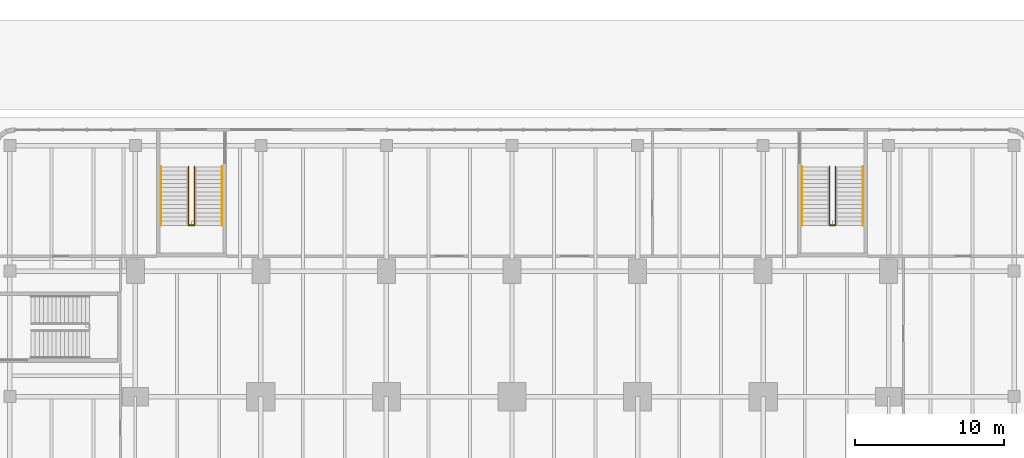
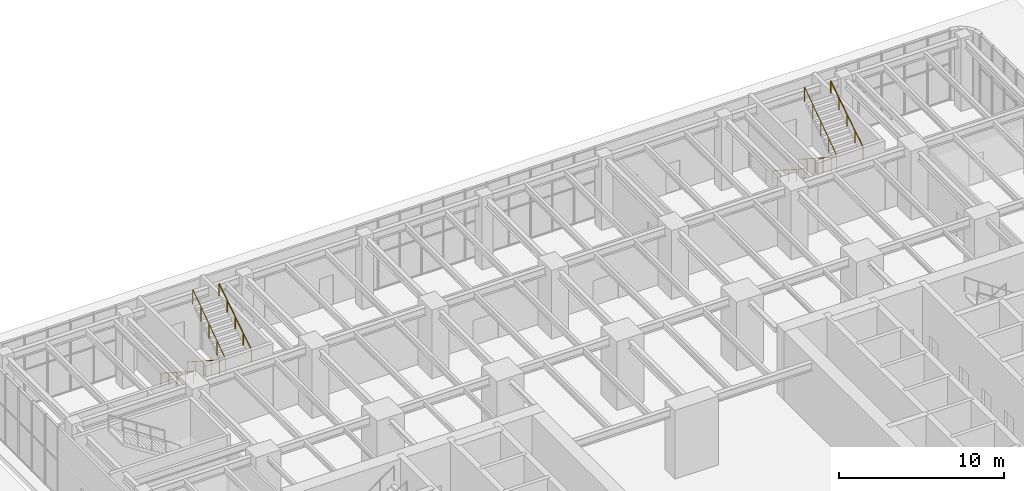
# One storey, part 30 of 31: 6 railings.
"""IFC4 building model written with IfcOpenShell, lengths in metres."""

from ifc_helpers import new_model, si_unit, direction, frame, origin, origin_2d, place, context, subcontext, project, spatial, circle, extrude, material, type_object, element, save


model = new_model("IFC4")

# Units and contexts
model_context = context("Model", 3, precision=1e-05, world=origin(), true_north=direction((0.0, 1.0)))
body_context = subcontext(model_context, "Body", "Model", "MODEL_VIEW")
ifc_project = project(units=[si_unit("LENGTHUNIT", "METRE"), si_unit("AREAUNIT", "SQUARE_METRE"), si_unit("VOLUMEUNIT", "CUBIC_METRE"), si_unit("PLANEANGLEUNIT", "RADIAN"), si_unit("MASSUNIT", "GRAM", prefix="KILO")], contexts=[model_context])

# Site, building, storey
site_placement = place(None, origin())
site = spatial("IfcSite", under=ifc_project, at=site_placement, CompositionType="ELEMENT")
building_placement = place(site_placement, origin())
building = spatial("IfcBuilding", under=site, at=building_placement, Name="Claustro Exchange Tower", CompositionType="ELEMENT")
storey_placement = place(building_placement, origin())
storey = spatial("IfcBuildingStorey", under=building, at=storey_placement, Name="L00", CompositionType="ELEMENT", Elevation=0.0)

# Railings
ifc_material_1 = material(Name="Steel balustrade, painted", Category="steel")
railing_type_1 = type_object("IfcRailingType", Name="GR2 1100 steel stair guard", PredefinedType="GUARDRAIL", material=ifc_material_1)
railing_1_placement = place(storey_placement, frame((3.550048828125, 57.3798828125, 0.179931640625)))
element("IfcRailing", 1, at=railing_1_placement, inside=storey, type_object=railing_type_1, Name="Stair well guard GR2 stair STP3 L00", PredefinedType="GUARDRAIL", context=body_context, shape_type="SweptSolid", body=[
    extrude(circle(Radius=0.02392578125, at=origin_2d()), frame((0.0, 0.0, 1.076171875), z_axis=(0.0, -0.841171666519, 0.540768182723), x_axis=(1.0, 0.0, 0.0)), (0.0, 0.0, 1.0), 4.66015625),
    extrude(circle(Radius=0.02392578125, at=origin_2d()), frame((0.0, -3.919921875, 3.59619140625), z_axis=(1.0, 0.0, 0.0), x_axis=(0.0, 1.0, 0.0)), (0.0, 0.0, 1.0), 0.39990234375),
    extrude(circle(Radius=0.02392578125, at=origin_2d()), frame((0.39990234375, -3.919921875, 3.59619140625), z_axis=(0.0, 0.823550731654, 0.567242622158), x_axis=(-1.0, 0.0, 0.0)), (0.0, 0.0, 1.0), 4.759765625),
    extrude(circle(Radius=0.02099609375, at=origin_2d()), origin(), (0.0, 0.0, 1.0), 1.052001953125),
    extrude(circle(Radius=0.02099609375, at=origin_2d()), frame((0.0, -0.97998046875, 0.6298828125)), (0.0, 0.0, 1.0), 1.052001953125),
    extrude(circle(Radius=0.02099609375, at=origin_2d()), frame((0.0, -1.9599609375, 1.260009765625)), (0.0, 0.0, 1.0), 1.052001953125),
    extrude(circle(Radius=0.02099609375, at=origin_2d()), frame((0.0, -2.93994140625, 1.89013671875)), (0.0, 0.0, 1.0), 1.052001953125),
    extrude(circle(Radius=0.02099609375, at=origin_2d()), frame((0.0, -3.919921875, 2.52001953125)), (0.0, 0.0, 1.0), 1.052001953125),
    extrude(circle(Radius=0.02099609375, at=origin_2d()), frame((0.39990234375, -3.919921875, 2.52001953125)), (0.0, 0.0, 1.0), 1.052001953125),
    extrude(circle(Radius=0.02099609375, at=origin_2d()), frame((0.39990234375, -2.93994140625, 3.195068359375)), (0.0, 0.0, 1.0), 1.052001953125),
    extrude(circle(Radius=0.02099609375, at=origin_2d()), frame((0.39990234375, -1.9599609375, 3.8701171875)), (0.0, 0.0, 1.0), 1.052001953125),
    extrude(circle(Radius=0.02099609375, at=origin_2d()), frame((0.39990234375, -0.97998046875, 4.544921875)), (0.0, 0.0, 1.0), 1.052001953125),
    extrude(circle(Radius=0.02099609375, at=origin_2d()), frame((0.39990234375, 0.0, 5.219970703125)), (0.0, 0.0, 1.0), 1.052001953125),
])
railing_2_placement = place(storey_placement, frame((46.449951171875, 57.3798828125, 0.179931640625)))
element("IfcRailing", 2, at=railing_2_placement, inside=storey, type_object=railing_type_1, Name="Stair well guard GR2 stair STP4 L00", PredefinedType="GUARDRAIL", context=body_context, shape_type="SweptSolid", body=[
    extrude(circle(Radius=0.02392578125, at=origin_2d()), frame((0.0, 0.0, 1.076171875), z_axis=(0.0, -0.841171666519, 0.540768182723), x_axis=(1.0, 0.0, 0.0)), (0.0, 0.0, 1.0), 4.66015625),
    extrude(circle(Radius=0.02392578125, at=origin_2d()), frame((0.0, -3.919921875, 3.59619140625), z_axis=(1.0, 0.0, 0.0), x_axis=(0.0, 1.0, 0.0)), (0.0, 0.0, 1.0), 0.400146484375),
    extrude(circle(Radius=0.02392578125, at=origin_2d()), frame((0.400146484375, -3.919921875, 3.59619140625), z_axis=(0.0, 0.823550731654, 0.567242622158), x_axis=(-1.0, 0.0, 0.0)), (0.0, 0.0, 1.0), 4.759765625),
    extrude(circle(Radius=0.02099609375, at=origin_2d()), origin(), (0.0, 0.0, 1.0), 1.052001953125),
    extrude(circle(Radius=0.02099609375, at=origin_2d()), frame((0.0, -0.97998046875, 0.6298828125)), (0.0, 0.0, 1.0), 1.052001953125),
    extrude(circle(Radius=0.02099609375, at=origin_2d()), frame((0.0, -1.9599609375, 1.260009765625)), (0.0, 0.0, 1.0), 1.052001953125),
    extrude(circle(Radius=0.02099609375, at=origin_2d()), frame((0.0, -2.93994140625, 1.89013671875)), (0.0, 0.0, 1.0), 1.052001953125),
    extrude(circle(Radius=0.02099609375, at=origin_2d()), frame((0.0, -3.919921875, 2.52001953125)), (0.0, 0.0, 1.0), 1.052001953125),
    extrude(circle(Radius=0.02099609375, at=origin_2d()), frame((0.400146484375, -3.919921875, 2.52001953125)), (0.0, 0.0, 1.0), 1.052001953125),
    extrude(circle(Radius=0.02099609375, at=origin_2d()), frame((0.400146484375, -2.93994140625, 3.195068359375)), (0.0, 0.0, 1.0), 1.052001953125),
    extrude(circle(Radius=0.02099609375, at=origin_2d()), frame((0.400146484375, -1.9599609375, 3.8701171875)), (0.0, 0.0, 1.0), 1.052001953125),
    extrude(circle(Radius=0.02099609375, at=origin_2d()), frame((0.400146484375, -0.97998046875, 4.544921875)), (0.0, 0.0, 1.0), 1.052001953125),
    extrude(circle(Radius=0.02099609375, at=origin_2d()), frame((0.400146484375, 0.0, 5.219970703125)), (0.0, 0.0, 1.0), 1.052001953125),
])
ifc_material_2 = material(Name="Stainless steel tube", Category="steel")
railing_type_2 = type_object("IfcRailingType", Name="HR1 900 stair handrail", PredefinedType="HANDRAIL", material=ifc_material_2)
railing_3_placement = place(storey_placement, frame((1.7099609375, 57.3798828125, 0.179931640625)))
element("IfcRailing", 3, at=railing_3_placement, inside=storey, type_object=railing_type_2, Name="Handrail HR1 stair STP3 L00", PredefinedType="HANDRAIL", context=body_context, shape_type="SweptSolid", body=[
    extrude(circle(Radius=0.02392578125, at=origin_2d()), frame((0.0, 0.0, 0.8759765625), z_axis=(0.0, -0.841171666519, 0.540768182723), x_axis=(1.0, 0.0, 0.0)), (0.0, 0.0, 1.0), 4.66015625),
    extrude(circle(Radius=0.02099609375, at=origin_2d()), origin(), (0.0, 0.0, 1.0), 0.851806640625),
    extrude(circle(Radius=0.02099609375, at=origin_2d()), frame((0.0, -0.97998046875, 0.6298828125)), (0.0, 0.0, 1.0), 0.851806640625),
    extrude(circle(Radius=0.02099609375, at=origin_2d()), frame((0.0, -1.9599609375, 1.260009765625)), (0.0, 0.0, 1.0), 0.851806640625),
    extrude(circle(Radius=0.02099609375, at=origin_2d()), frame((0.0, -2.93994140625, 1.89013671875)), (0.0, 0.0, 1.0), 0.851806640625),
    extrude(circle(Radius=0.02099609375, at=origin_2d()), frame((0.0, -3.919921875, 2.52001953125)), (0.0, 0.0, 1.0), 0.851806640625),
])
railing_4_placement = place(storey_placement, frame((5.7900390625, 53.4599609375, 2.8798828125)))
element("IfcRailing", 4, at=railing_4_placement, inside=storey, type_object=railing_type_2, Name="Handrail HR1 stair STP3 L00", PredefinedType="HANDRAIL", context=body_context, shape_type="SweptSolid", body=[
    extrude(circle(Radius=0.02392578125, at=origin_2d()), frame((0.0, 0.0, 0.8759765625), z_axis=(0.0, 0.841171666519, 0.540768182723), x_axis=(-1.0, 0.0, 0.0)), (0.0, 0.0, 1.0), 4.66015625),
    extrude(circle(Radius=0.02099609375, at=origin_2d()), origin(), (0.0, 0.0, 1.0), 0.851806640625),
    extrude(circle(Radius=0.02099609375, at=origin_2d()), frame((0.0, 0.97998046875, 0.6298828125)), (0.0, 0.0, 1.0), 0.851806640625),
    extrude(circle(Radius=0.02099609375, at=origin_2d()), frame((0.0, 1.9599609375, 1.260009765625)), (0.0, 0.0, 1.0), 0.851806640625),
    extrude(circle(Radius=0.02099609375, at=origin_2d()), frame((0.0, 2.93994140625, 1.89013671875)), (0.0, 0.0, 1.0), 0.851806640625),
    extrude(circle(Radius=0.02099609375, at=origin_2d()), frame((0.0, 3.919921875, 2.52001953125)), (0.0, 0.0, 1.0), 0.851806640625),
])
railing_5_placement = place(storey_placement, frame((44.610107421875, 57.3798828125, 0.179931640625)))
element("IfcRailing", 5, at=railing_5_placement, inside=storey, type_object=railing_type_2, Name="Handrail HR1 stair STP4 L00", PredefinedType="HANDRAIL", context=body_context, shape_type="SweptSolid", body=[
    extrude(circle(Radius=0.02392578125, at=origin_2d()), frame((0.0, 0.0, 0.8759765625), z_axis=(0.0, -0.841171666519, 0.540768182723), x_axis=(1.0, 0.0, 0.0)), (0.0, 0.0, 1.0), 4.66015625),
    extrude(circle(Radius=0.02099609375, at=origin_2d()), origin(), (0.0, 0.0, 1.0), 0.851806640625),
    extrude(circle(Radius=0.02099609375, at=origin_2d()), frame((0.0, -0.97998046875, 0.6298828125)), (0.0, 0.0, 1.0), 0.851806640625),
    extrude(circle(Radius=0.02099609375, at=origin_2d()), frame((0.0, -1.9599609375, 1.260009765625)), (0.0, 0.0, 1.0), 0.851806640625),
    extrude(circle(Radius=0.02099609375, at=origin_2d()), frame((0.0, -2.93994140625, 1.89013671875)), (0.0, 0.0, 1.0), 0.851806640625),
    extrude(circle(Radius=0.02099609375, at=origin_2d()), frame((0.0, -3.919921875, 2.52001953125)), (0.0, 0.0, 1.0), 0.851806640625),
])
railing_6_placement = place(storey_placement, frame((48.68994140625, 53.4599609375, 2.8798828125)))
element("IfcRailing", 6, at=railing_6_placement, inside=storey, type_object=railing_type_2, Name="Handrail HR1 stair STP4 L00", PredefinedType="HANDRAIL", context=body_context, shape_type="SweptSolid", body=[
    extrude(circle(Radius=0.02392578125, at=origin_2d()), frame((0.0, 0.0, 0.8759765625), z_axis=(0.0, 0.841171666519, 0.540768182723), x_axis=(-1.0, 0.0, 0.0)), (0.0, 0.0, 1.0), 4.66015625),
    extrude(circle(Radius=0.02099609375, at=origin_2d()), origin(), (0.0, 0.0, 1.0), 0.851806640625),
    extrude(circle(Radius=0.02099609375, at=origin_2d()), frame((0.0, 0.97998046875, 0.6298828125)), (0.0, 0.0, 1.0), 0.851806640625),
    extrude(circle(Radius=0.02099609375, at=origin_2d()), frame((0.0, 1.9599609375, 1.260009765625)), (0.0, 0.0, 1.0), 0.851806640625),
    extrude(circle(Radius=0.02099609375, at=origin_2d()), frame((0.0, 2.93994140625, 1.89013671875)), (0.0, 0.0, 1.0), 0.851806640625),
    extrude(circle(Radius=0.02099609375, at=origin_2d()), frame((0.0, 3.919921875, 2.52001953125)), (0.0, 0.0, 1.0), 0.851806640625),
])

save(model, "model.ifc")
